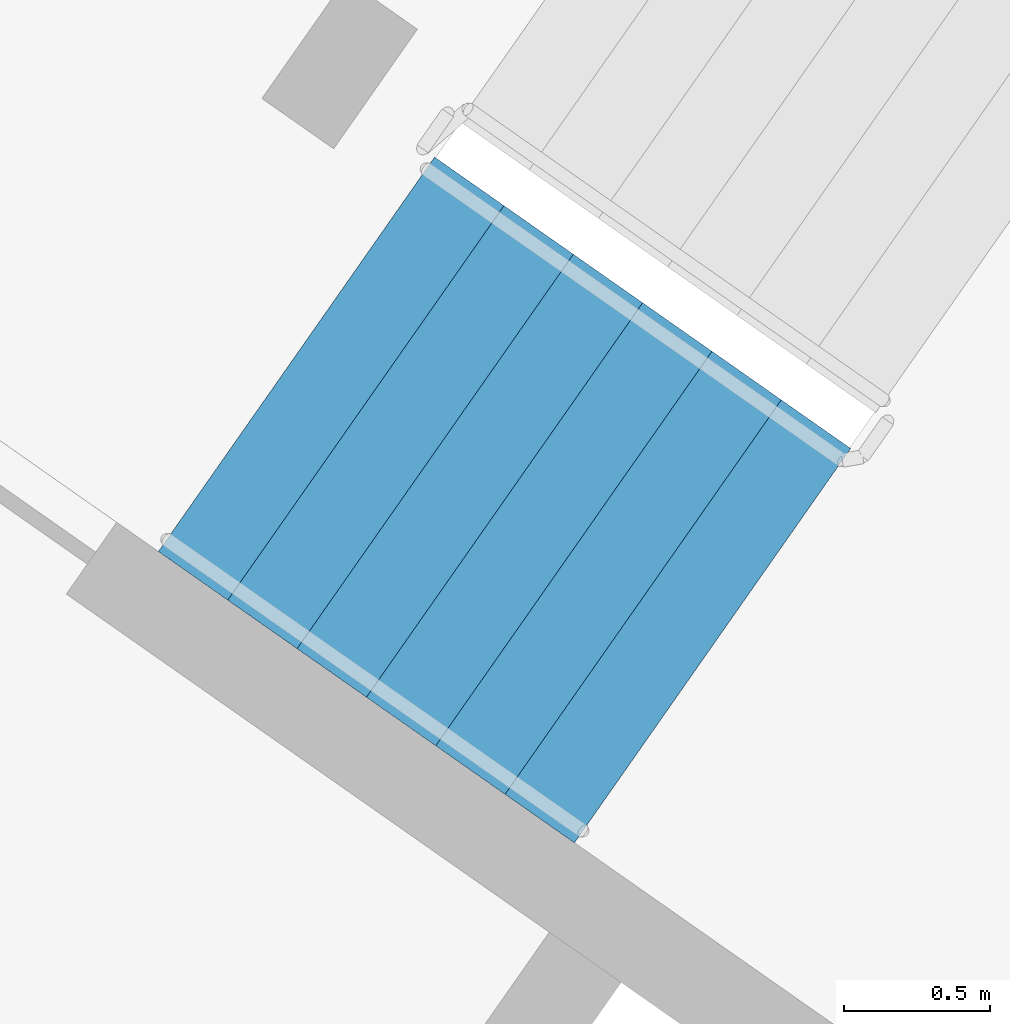
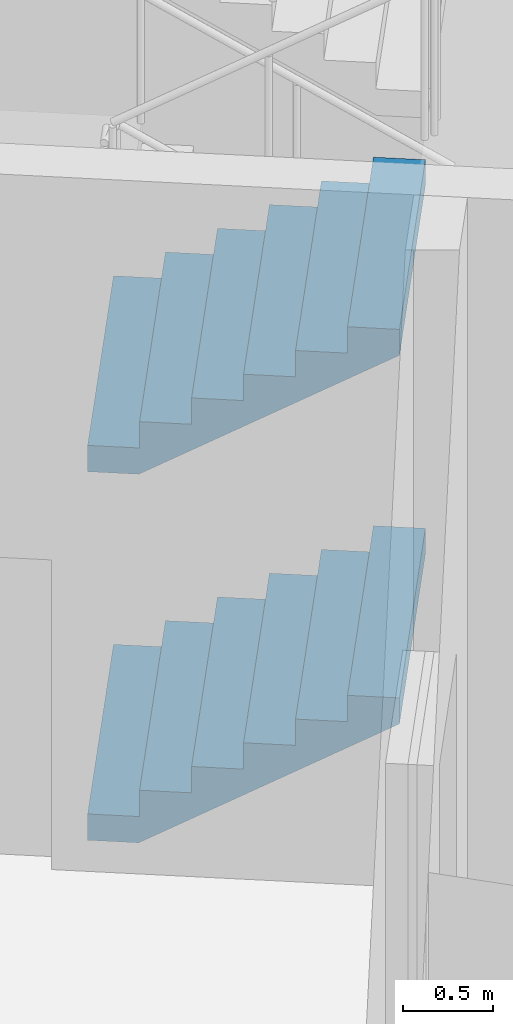
# One storey, part 17 of 25: 2 stair flights, 1 element without a shape of its own.
"""IFC4 building model written with IfcOpenShell, lengths in metres."""

from ifc_helpers import new_model, si_unit, direction, frame, origin, place, context, subcontext, project, spatial, faceted_brep, material, type_object, element, aggregate, save


model = new_model("IFC4")

# Units and contexts
model_context = context("Model", 3, precision=1e-05, world=origin(), true_north=direction((0.0, 1.0)))
body_context = subcontext(model_context, "Body", "Model", "MODEL_VIEW")
ifc_project = project(units=[si_unit("LENGTHUNIT", "METRE"), si_unit("AREAUNIT", "SQUARE_METRE"), si_unit("VOLUMEUNIT", "CUBIC_METRE"), si_unit("PLANEANGLEUNIT", "RADIAN"), si_unit("MASSUNIT", "GRAM", prefix="KILO")], contexts=[model_context])

# Site, building, storey
site_placement = place(None, origin())
site = spatial("IfcSite", under=ifc_project, at=site_placement, CompositionType="ELEMENT")
building_placement = place(site_placement, origin())
building = spatial("IfcBuilding", under=site, at=building_placement, Name="Qamariyya Broadcast Tower", CompositionType="ELEMENT")
storey_placement = place(building_placement, frame((0.0, 0.0, 144.300048828125)))
storey = spatial("IfcBuildingStorey", under=building, at=storey_placement, Name="L33", CompositionType="ELEMENT", Elevation=144.300048828125)

# Stair, stair flights
ifc_material = material(Name="Concrete C50/60", Category="concrete")
stair_type = type_object("IfcStairType", Name="Exit stair 28 risers of 179 mm", PredefinedType="HALF_TURN_STAIR", material=ifc_material)
stair_placement = place(storey_placement, origin())
stair = element("IfcStair", 1, at=stair_placement, inside=storey, type_object=stair_type, Name="L33 Stair W2", PredefinedType="HALF_TURN_STAIR")
stair_flight_type = type_object("IfcStairFlightType", Name="Exit stair flight 7 risers of 179 mm", PredefinedType="STRAIGHT", material=ifc_material)
stair_flight_1_placement = place(storey_placement, frame((-41.59130859375, -49.15966796875, 0.0), z_axis=(0.0, 0.0, 1.0), x_axis=(0.819152044289, -0.573576436351, 0.0)))
stair_flight_1 = element("IfcStairFlight", 2, at=stair_flight_1_placement, type_object=stair_flight_type, Name="ST-W2 flight 1", NumberOfRisers=7, NumberOfTreads=6, PredefinedType="STRAIGHT", RiserHeight=0.178571429, TreadLength=0.29, context=body_context, shape_type="Brep", body=[
    faceted_brep([(0.0, 0.824951171875, 0.0), (0.0, 0.824951171875, 0.178466796875), (0.2900390625, 0.824951171875, 0.178466796875), (0.2900390625, 0.824951171875, 0.357177734375), (0.580078125, 0.824951171875, 0.357177734375), (0.580078125, 0.824951171875, 0.53564453125), (0.8701171875, 0.824951171875, 0.53564453125), (0.8701171875, 0.824951171875, 0.71435546875), (1.159912109375, 0.824951171875, 0.71435546875), (1.159912109375, 0.824951171875, 0.892822265625), (1.449951171875, 0.824951171875, 0.892822265625), (1.449951171875, 0.824951171875, 1.071533203125), (1.739990234375, 0.824951171875, 1.071533203125), (1.739990234375, 0.824951171875, 0.8955078125), (0.285888671875, 0.824951171875, 0.0), (0.285888671875, -0.824951171875, 0.0), (1.739990234375, -0.824951171875, 0.8955078125), (1.739990234375, -0.824951171875, 1.071533203125), (1.449951171875, -0.824951171875, 1.071533203125), (1.449951171875, -0.824951171875, 0.892822265625), (1.159912109375, -0.824951171875, 0.892822265625), (1.159912109375, -0.824951171875, 0.71435546875), (0.8701171875, -0.824951171875, 0.71435546875), (0.8701171875, -0.824951171875, 0.53564453125), (0.580078125, -0.824951171875, 0.53564453125), (0.580078125, -0.824951171875, 0.357177734375), (0.2900390625, -0.824951171875, 0.357177734375), (0.2900390625, -0.824951171875, 0.178466796875), (0.0, -0.824951171875, 0.178466796875), (0.0, -0.824951171875, 0.0), (0.0, 0.10009765625, 0.0), (0.0, 0.086669921875, 0.0), (0.0, 0.0732421875, 0.0), (0.0, 0.06005859375, 0.0), (0.0, 0.046630859375, 0.0), (0.0, 0.033447265625, 0.0), (0.0, 0.02001953125, 0.0), (0.0, 0.006591796875, 0.0), (0.0, -0.006591796875, 0.0), (0.0, -0.02001953125, 0.0), (0.0, -0.033447265625, 0.0), (0.0, -0.046630859375, 0.0), (0.0, -0.06005859375, 0.0), (0.0, -0.0732421875, 0.0), (0.0, -0.086669921875, 0.0), (0.0, -0.10009765625, 0.0), (0.0, -0.10009765625, 0.178466796875), (0.0, -0.086669921875, 0.178466796875), (0.0, -0.0732421875, 0.178466796875), (0.0, -0.06005859375, 0.178466796875), (0.0, -0.046630859375, 0.178466796875), (0.0, -0.033447265625, 0.178466796875), (0.0, -0.02001953125, 0.178466796875), (0.0, -0.006591796875, 0.178466796875), (0.0, 0.006591796875, 0.178466796875), (0.0, 0.02001953125, 0.178466796875), (0.0, 0.033447265625, 0.178466796875), (0.0, 0.046630859375, 0.178466796875), (0.0, 0.06005859375, 0.178466796875), (0.0, 0.0732421875, 0.178466796875), (0.0, 0.086669921875, 0.178466796875), (0.0, 0.10009765625, 0.178466796875), (0.2900390625, -0.10009765625, 0.178466796875), (0.2900390625, -0.086669921875, 0.178466796875), (0.2900390625, -0.0732421875, 0.178466796875), (0.2900390625, -0.06005859375, 0.178466796875), (0.2900390625, -0.046630859375, 0.178466796875), (0.2900390625, -0.033447265625, 0.178466796875), (0.2900390625, -0.02001953125, 0.178466796875), (0.2900390625, -0.006591796875, 0.178466796875), (0.2900390625, 0.006591796875, 0.178466796875), (0.2900390625, 0.02001953125, 0.178466796875), (0.2900390625, 0.033447265625, 0.178466796875), (0.2900390625, 0.046630859375, 0.178466796875), (0.2900390625, 0.06005859375, 0.178466796875), (0.2900390625, 0.0732421875, 0.178466796875), (0.2900390625, 0.086669921875, 0.178466796875), (0.2900390625, 0.10009765625, 0.178466796875), (0.2900390625, -0.10009765625, 0.357177734375), (0.2900390625, -0.086669921875, 0.357177734375), (0.2900390625, -0.0732421875, 0.357177734375), (0.2900390625, -0.06005859375, 0.357177734375), (0.2900390625, -0.046630859375, 0.357177734375), (0.2900390625, -0.033447265625, 0.357177734375), (0.2900390625, -0.02001953125, 0.357177734375), (0.2900390625, -0.006591796875, 0.357177734375), (0.2900390625, 0.006591796875, 0.357177734375), (0.2900390625, 0.02001953125, 0.357177734375), (0.2900390625, 0.033447265625, 0.357177734375), (0.2900390625, 0.046630859375, 0.357177734375), (0.2900390625, 0.06005859375, 0.357177734375), (0.2900390625, 0.0732421875, 0.357177734375), (0.2900390625, 0.086669921875, 0.357177734375), (0.2900390625, 0.10009765625, 0.357177734375), (0.580078125, -0.10009765625, 0.357177734375), (0.580078125, -0.086669921875, 0.357177734375), (0.580078125, -0.0732421875, 0.357177734375), (0.580078125, -0.06005859375, 0.357177734375), (0.580078125, -0.046630859375, 0.357177734375), (0.580078125, -0.033447265625, 0.357177734375), (0.580078125, -0.02001953125, 0.357177734375), (0.580078125, -0.006591796875, 0.357177734375), (0.580078125, 0.006591796875, 0.357177734375), (0.580078125, 0.02001953125, 0.357177734375), (0.580078125, 0.033447265625, 0.357177734375), (0.580078125, 0.046630859375, 0.357177734375), (0.580078125, 0.06005859375, 0.357177734375), (0.580078125, 0.0732421875, 0.357177734375), (0.580078125, 0.086669921875, 0.357177734375), (0.580078125, 0.10009765625, 0.357177734375), (0.580078125, -0.10009765625, 0.53564453125), (0.580078125, -0.086669921875, 0.53564453125), (0.580078125, -0.0732421875, 0.53564453125), (0.580078125, -0.06005859375, 0.53564453125), (0.580078125, -0.046630859375, 0.53564453125), (0.580078125, -0.033447265625, 0.53564453125), (0.580078125, -0.02001953125, 0.53564453125), (0.580078125, -0.006591796875, 0.53564453125), (0.580078125, 0.006591796875, 0.53564453125), (0.580078125, 0.02001953125, 0.53564453125), (0.580078125, 0.033447265625, 0.53564453125), (0.580078125, 0.046630859375, 0.53564453125), (0.580078125, 0.06005859375, 0.53564453125), (0.580078125, 0.0732421875, 0.53564453125), (0.580078125, 0.086669921875, 0.53564453125), (0.580078125, 0.10009765625, 0.53564453125), (0.8701171875, -0.10009765625, 0.53564453125), (0.8701171875, -0.086669921875, 0.53564453125), (0.8701171875, -0.0732421875, 0.53564453125), (0.8701171875, -0.06005859375, 0.53564453125), (0.8701171875, -0.046630859375, 0.53564453125), (0.8701171875, -0.033447265625, 0.53564453125), (0.8701171875, -0.02001953125, 0.53564453125), (0.8701171875, -0.006591796875, 0.53564453125), (0.8701171875, 0.006591796875, 0.53564453125), (0.8701171875, 0.02001953125, 0.53564453125), (0.8701171875, 0.033447265625, 0.53564453125), (0.8701171875, 0.046630859375, 0.53564453125), (0.8701171875, 0.06005859375, 0.53564453125), (0.8701171875, 0.0732421875, 0.53564453125), (0.8701171875, 0.086669921875, 0.53564453125), (0.8701171875, 0.10009765625, 0.53564453125), (0.8701171875, -0.10009765625, 0.71435546875), (0.8701171875, -0.086669921875, 0.71435546875), (0.8701171875, -0.0732421875, 0.71435546875), (0.8701171875, -0.06005859375, 0.71435546875), (0.8701171875, -0.046630859375, 0.71435546875), (0.8701171875, -0.033447265625, 0.71435546875), (0.8701171875, -0.02001953125, 0.71435546875), (0.8701171875, -0.006591796875, 0.71435546875), (0.8701171875, 0.006591796875, 0.71435546875), (0.8701171875, 0.02001953125, 0.71435546875), (0.8701171875, 0.033447265625, 0.71435546875), (0.8701171875, 0.046630859375, 0.71435546875), (0.8701171875, 0.06005859375, 0.71435546875), (0.8701171875, 0.0732421875, 0.71435546875), (0.8701171875, 0.086669921875, 0.71435546875), (0.8701171875, 0.10009765625, 0.71435546875), (1.159912109375, -0.10009765625, 0.71435546875), (1.159912109375, -0.086669921875, 0.71435546875), (1.159912109375, -0.0732421875, 0.71435546875), (1.159912109375, -0.06005859375, 0.71435546875), (1.159912109375, -0.046630859375, 0.71435546875), (1.159912109375, -0.033447265625, 0.71435546875), (1.159912109375, -0.02001953125, 0.71435546875), (1.159912109375, -0.006591796875, 0.71435546875), (1.159912109375, 0.006591796875, 0.71435546875), (1.159912109375, 0.02001953125, 0.71435546875), (1.159912109375, 0.033447265625, 0.71435546875), (1.159912109375, 0.046630859375, 0.71435546875), (1.159912109375, 0.06005859375, 0.71435546875), (1.159912109375, 0.0732421875, 0.71435546875), (1.159912109375, 0.086669921875, 0.71435546875), (1.159912109375, 0.10009765625, 0.71435546875), (1.159912109375, -0.10009765625, 0.892822265625), (1.159912109375, -0.086669921875, 0.892822265625), (1.159912109375, -0.0732421875, 0.892822265625), (1.159912109375, -0.06005859375, 0.892822265625), (1.159912109375, -0.046630859375, 0.892822265625), (1.159912109375, -0.033447265625, 0.892822265625), (1.159912109375, -0.02001953125, 0.892822265625), (1.159912109375, -0.006591796875, 0.892822265625), (1.159912109375, 0.006591796875, 0.892822265625), (1.159912109375, 0.02001953125, 0.892822265625), (1.159912109375, 0.033447265625, 0.892822265625), (1.159912109375, 0.046630859375, 0.892822265625), (1.159912109375, 0.06005859375, 0.892822265625), (1.159912109375, 0.0732421875, 0.892822265625), (1.159912109375, 0.086669921875, 0.892822265625), (1.159912109375, 0.10009765625, 0.892822265625), (1.449951171875, -0.10009765625, 0.892822265625), (1.449951171875, -0.086669921875, 0.892822265625), (1.449951171875, -0.0732421875, 0.892822265625), (1.449951171875, -0.06005859375, 0.892822265625), (1.449951171875, -0.046630859375, 0.892822265625), (1.449951171875, -0.033447265625, 0.892822265625), (1.449951171875, -0.02001953125, 0.892822265625), (1.449951171875, -0.006591796875, 0.892822265625), (1.449951171875, 0.006591796875, 0.892822265625), (1.449951171875, 0.02001953125, 0.892822265625), (1.449951171875, 0.033447265625, 0.892822265625), (1.449951171875, 0.046630859375, 0.892822265625), (1.449951171875, 0.06005859375, 0.892822265625), (1.449951171875, 0.0732421875, 0.892822265625), (1.449951171875, 0.086669921875, 0.892822265625), (1.449951171875, 0.10009765625, 0.892822265625), (1.449951171875, -0.10009765625, 1.071533203125), (1.449951171875, -0.086669921875, 1.071533203125), (1.449951171875, -0.0732421875, 1.071533203125), (1.449951171875, -0.06005859375, 1.071533203125), (1.449951171875, -0.046630859375, 1.071533203125), (1.449951171875, -0.033447265625, 1.071533203125), (1.449951171875, -0.02001953125, 1.071533203125), (1.449951171875, -0.006591796875, 1.071533203125), (1.449951171875, 0.006591796875, 1.071533203125), (1.449951171875, 0.02001953125, 1.071533203125), (1.449951171875, 0.033447265625, 1.071533203125), (1.449951171875, 0.046630859375, 1.071533203125), (1.449951171875, 0.06005859375, 1.071533203125), (1.449951171875, 0.0732421875, 1.071533203125), (1.449951171875, 0.086669921875, 1.071533203125), (1.449951171875, 0.10009765625, 1.071533203125), (1.739990234375, -0.10009765625, 1.071533203125), (1.739990234375, -0.086669921875, 1.071533203125), (1.739990234375, -0.0732421875, 1.071533203125), (1.739990234375, -0.06005859375, 1.071533203125), (1.739990234375, -0.046630859375, 1.071533203125), (1.739990234375, -0.033447265625, 1.071533203125), (1.739990234375, -0.02001953125, 1.071533203125), (1.739990234375, -0.006591796875, 1.071533203125), (1.739990234375, 0.006591796875, 1.071533203125), (1.739990234375, 0.02001953125, 1.071533203125), (1.739990234375, 0.033447265625, 1.071533203125), (1.739990234375, 0.046630859375, 1.071533203125), (1.739990234375, 0.06005859375, 1.071533203125), (1.739990234375, 0.0732421875, 1.071533203125), (1.739990234375, 0.086669921875, 1.071533203125), (1.739990234375, 0.10009765625, 1.071533203125), (1.739990234375, -0.10009765625, 0.8955078125), (1.739990234375, -0.086669921875, 0.8955078125), (1.739990234375, -0.0732421875, 0.8955078125), (1.739990234375, -0.06005859375, 0.8955078125), (1.739990234375, -0.046630859375, 0.8955078125), (1.739990234375, -0.033447265625, 0.8955078125), (1.739990234375, -0.02001953125, 0.8955078125), (1.739990234375, -0.006591796875, 0.8955078125), (1.739990234375, 0.006591796875, 0.8955078125), (1.739990234375, 0.02001953125, 0.8955078125), (1.739990234375, 0.033447265625, 0.8955078125), (1.739990234375, 0.046630859375, 0.8955078125), (1.739990234375, 0.06005859375, 0.8955078125), (1.739990234375, 0.0732421875, 0.8955078125), (1.739990234375, 0.086669921875, 0.8955078125), (1.739990234375, 0.10009765625, 0.8955078125), (0.285888671875, -0.10009765625, 0.0), (0.285888671875, -0.086669921875, 0.0), (0.285888671875, -0.0732421875, 0.0), (0.285888671875, -0.06005859375, 0.0), (0.285888671875, -0.046630859375, 0.0), (0.285888671875, -0.033447265625, 0.0), (0.285888671875, -0.02001953125, 0.0), (0.285888671875, -0.006591796875, 0.0), (0.285888671875, 0.006591796875, 0.0), (0.285888671875, 0.02001953125, 0.0), (0.285888671875, 0.033447265625, 0.0), (0.285888671875, 0.046630859375, 0.0), (0.285888671875, 0.06005859375, 0.0), (0.285888671875, 0.0732421875, 0.0), (0.285888671875, 0.086669921875, 0.0), (0.285888671875, 0.10009765625, 0.0)], [[[0, 1, 2, 3, 4, 5, 6, 7, 8, 9, 10, 11, 12, 13, 14]], [[15, 16, 17, 18, 19, 20, 21, 22, 23, 24, 25, 26, 27, 28, 29]], [[0, 30, 31, 32, 33, 34, 35, 36, 37, 38, 39, 40, 41, 42, 43, 44, 45, 29, 28, 46, 47, 48, 49, 50, 51, 52, 53, 54, 55, 56, 57, 58, 59, 60, 61, 1]], [[1, 61, 60, 59, 58, 57, 56, 55, 54, 53, 52, 51, 50, 49, 48, 47, 46, 28, 27, 62, 63, 64, 65, 66, 67, 68, 69, 70, 71, 72, 73, 74, 75, 76, 77, 2]], [[2, 77, 76, 75, 74, 73, 72, 71, 70, 69, 68, 67, 66, 65, 64, 63, 62, 27, 26, 78, 79, 80, 81, 82, 83, 84, 85, 86, 87, 88, 89, 90, 91, 92, 93, 3]], [[3, 93, 92, 91, 90, 89, 88, 87, 86, 85, 84, 83, 82, 81, 80, 79, 78, 26, 25, 94, 95, 96, 97, 98, 99, 100, 101, 102, 103, 104, 105, 106, 107, 108, 109, 4]], [[4, 109, 108, 107, 106, 105, 104, 103, 102, 101, 100, 99, 98, 97, 96, 95, 94, 25, 24, 110, 111, 112, 113, 114, 115, 116, 117, 118, 119, 120, 121, 122, 123, 124, 125, 5]], [[5, 125, 124, 123, 122, 121, 120, 119, 118, 117, 116, 115, 114, 113, 112, 111, 110, 24, 23, 126, 127, 128, 129, 130, 131, 132, 133, 134, 135, 136, 137, 138, 139, 140, 141, 6]], [[6, 141, 140, 139, 138, 137, 136, 135, 134, 133, 132, 131, 130, 129, 128, 127, 126, 23, 22, 142, 143, 144, 145, 146, 147, 148, 149, 150, 151, 152, 153, 154, 155, 156, 157, 7]], [[7, 157, 156, 155, 154, 153, 152, 151, 150, 149, 148, 147, 146, 145, 144, 143, 142, 22, 21, 158, 159, 160, 161, 162, 163, 164, 165, 166, 167, 168, 169, 170, 171, 172, 173, 8]], [[8, 173, 172, 171, 170, 169, 168, 167, 166, 165, 164, 163, 162, 161, 160, 159, 158, 21, 20, 174, 175, 176, 177, 178, 179, 180, 181, 182, 183, 184, 185, 186, 187, 188, 189, 9]], [[9, 189, 188, 187, 186, 185, 184, 183, 182, 181, 180, 179, 178, 177, 176, 175, 174, 20, 19, 190, 191, 192, 193, 194, 195, 196, 197, 198, 199, 200, 201, 202, 203, 204, 205, 10]], [[10, 205, 204, 203, 202, 201, 200, 199, 198, 197, 196, 195, 194, 193, 192, 191, 190, 19, 18, 206, 207, 208, 209, 210, 211, 212, 213, 214, 215, 216, 217, 218, 219, 220, 221, 11]], [[11, 221, 220, 219, 218, 217, 216, 215, 214, 213, 212, 211, 210, 209, 208, 207, 206, 18, 17, 222, 223, 224, 225, 226, 227, 228, 229, 230, 231, 232, 233, 234, 235, 236, 237, 12]], [[12, 237, 236, 235, 234, 233, 232, 231, 230, 229, 228, 227, 226, 225, 224, 223, 222, 17, 16, 238, 239, 240, 241, 242, 243, 244, 245, 246, 247, 248, 249, 250, 251, 252, 253, 13]], [[13, 253, 252, 251, 250, 249, 248, 247, 246, 245, 244, 243, 242, 241, 240, 239, 238, 16, 15, 254, 255, 256, 257, 258, 259, 260, 261, 262, 263, 264, 265, 266, 267, 268, 269, 14]], [[14, 269, 268, 267, 266, 265, 264, 263, 262, 261, 260, 259, 258, 257, 256, 255, 254, 15, 29, 45, 44, 43, 42, 41, 40, 39, 38, 37, 36, 35, 34, 33, 32, 31, 30, 0]]]),
])
stair_flight_2_placement = place(storey_placement, frame((-41.59130859375, -49.15966796875, 2.5), z_axis=(0.0, 0.0, 1.0), x_axis=(0.819152044289, -0.573576436351, 0.0)))
stair_flight_2 = element("IfcStairFlight", 3, at=stair_flight_2_placement, type_object=stair_flight_type, Name="ST-W2 flight 3", NumberOfRisers=7, NumberOfTreads=6, PredefinedType="STRAIGHT", RiserHeight=0.178571429, TreadLength=0.29, context=body_context, shape_type="Brep", body=[
    faceted_brep([(0.0, 0.824951171875, 0.0), (0.0, 0.824951171875, 0.178466796875), (0.2900390625, 0.824951171875, 0.178466796875), (0.2900390625, 0.824951171875, 0.357177734375), (0.580078125, 0.824951171875, 0.357177734375), (0.580078125, 0.824951171875, 0.53564453125), (0.8701171875, 0.824951171875, 0.53564453125), (0.8701171875, 0.824951171875, 0.71435546875), (1.159912109375, 0.824951171875, 0.71435546875), (1.159912109375, 0.824951171875, 0.892822265625), (1.449951171875, 0.824951171875, 0.892822265625), (1.449951171875, 0.824951171875, 1.071533203125), (1.739990234375, 0.824951171875, 1.071533203125), (1.739990234375, 0.824951171875, 0.8955078125), (0.285888671875, 0.824951171875, 0.0), (0.285888671875, -0.824951171875, 0.0), (1.739990234375, -0.824951171875, 0.8955078125), (1.739990234375, -0.824951171875, 1.071533203125), (1.449951171875, -0.824951171875, 1.071533203125), (1.449951171875, -0.824951171875, 0.892822265625), (1.159912109375, -0.824951171875, 0.892822265625), (1.159912109375, -0.824951171875, 0.71435546875), (0.8701171875, -0.824951171875, 0.71435546875), (0.8701171875, -0.824951171875, 0.53564453125), (0.580078125, -0.824951171875, 0.53564453125), (0.580078125, -0.824951171875, 0.357177734375), (0.2900390625, -0.824951171875, 0.357177734375), (0.2900390625, -0.824951171875, 0.178466796875), (0.0, -0.824951171875, 0.178466796875), (0.0, -0.824951171875, 0.0), (0.0, 0.10009765625, 0.0), (0.0, 0.086669921875, 0.0), (0.0, 0.0732421875, 0.0), (0.0, 0.06005859375, 0.0), (0.0, 0.046630859375, 0.0), (0.0, 0.033447265625, 0.0), (0.0, 0.02001953125, 0.0), (0.0, 0.006591796875, 0.0), (0.0, -0.006591796875, 0.0), (0.0, -0.02001953125, 0.0), (0.0, -0.033447265625, 0.0), (0.0, -0.046630859375, 0.0), (0.0, -0.06005859375, 0.0), (0.0, -0.0732421875, 0.0), (0.0, -0.086669921875, 0.0), (0.0, -0.10009765625, 0.0), (0.0, -0.10009765625, 0.178466796875), (0.0, -0.086669921875, 0.178466796875), (0.0, -0.0732421875, 0.178466796875), (0.0, -0.06005859375, 0.178466796875), (0.0, -0.046630859375, 0.178466796875), (0.0, -0.033447265625, 0.178466796875), (0.0, -0.02001953125, 0.178466796875), (0.0, -0.006591796875, 0.178466796875), (0.0, 0.006591796875, 0.178466796875), (0.0, 0.02001953125, 0.178466796875), (0.0, 0.033447265625, 0.178466796875), (0.0, 0.046630859375, 0.178466796875), (0.0, 0.06005859375, 0.178466796875), (0.0, 0.0732421875, 0.178466796875), (0.0, 0.086669921875, 0.178466796875), (0.0, 0.10009765625, 0.178466796875), (0.2900390625, -0.10009765625, 0.178466796875), (0.2900390625, -0.086669921875, 0.178466796875), (0.2900390625, -0.0732421875, 0.178466796875), (0.2900390625, -0.06005859375, 0.178466796875), (0.2900390625, -0.046630859375, 0.178466796875), (0.2900390625, -0.033447265625, 0.178466796875), (0.2900390625, -0.02001953125, 0.178466796875), (0.2900390625, -0.006591796875, 0.178466796875), (0.2900390625, 0.006591796875, 0.178466796875), (0.2900390625, 0.02001953125, 0.178466796875), (0.2900390625, 0.033447265625, 0.178466796875), (0.2900390625, 0.046630859375, 0.178466796875), (0.2900390625, 0.06005859375, 0.178466796875), (0.2900390625, 0.0732421875, 0.178466796875), (0.2900390625, 0.086669921875, 0.178466796875), (0.2900390625, 0.10009765625, 0.178466796875), (0.2900390625, -0.10009765625, 0.357177734375), (0.2900390625, -0.086669921875, 0.357177734375), (0.2900390625, -0.0732421875, 0.357177734375), (0.2900390625, -0.06005859375, 0.357177734375), (0.2900390625, -0.046630859375, 0.357177734375), (0.2900390625, -0.033447265625, 0.357177734375), (0.2900390625, -0.02001953125, 0.357177734375), (0.2900390625, -0.006591796875, 0.357177734375), (0.2900390625, 0.006591796875, 0.357177734375), (0.2900390625, 0.02001953125, 0.357177734375), (0.2900390625, 0.033447265625, 0.357177734375), (0.2900390625, 0.046630859375, 0.357177734375), (0.2900390625, 0.06005859375, 0.357177734375), (0.2900390625, 0.0732421875, 0.357177734375), (0.2900390625, 0.086669921875, 0.357177734375), (0.2900390625, 0.10009765625, 0.357177734375), (0.580078125, -0.10009765625, 0.357177734375), (0.580078125, -0.086669921875, 0.357177734375), (0.580078125, -0.0732421875, 0.357177734375), (0.580078125, -0.06005859375, 0.357177734375), (0.580078125, -0.046630859375, 0.357177734375), (0.580078125, -0.033447265625, 0.357177734375), (0.580078125, -0.02001953125, 0.357177734375), (0.580078125, -0.006591796875, 0.357177734375), (0.580078125, 0.006591796875, 0.357177734375), (0.580078125, 0.02001953125, 0.357177734375), (0.580078125, 0.033447265625, 0.357177734375), (0.580078125, 0.046630859375, 0.357177734375), (0.580078125, 0.06005859375, 0.357177734375), (0.580078125, 0.0732421875, 0.357177734375), (0.580078125, 0.086669921875, 0.357177734375), (0.580078125, 0.10009765625, 0.357177734375), (0.580078125, -0.10009765625, 0.53564453125), (0.580078125, -0.086669921875, 0.53564453125), (0.580078125, -0.0732421875, 0.53564453125), (0.580078125, -0.06005859375, 0.53564453125), (0.580078125, -0.046630859375, 0.53564453125), (0.580078125, -0.033447265625, 0.53564453125), (0.580078125, -0.02001953125, 0.53564453125), (0.580078125, -0.006591796875, 0.53564453125), (0.580078125, 0.006591796875, 0.53564453125), (0.580078125, 0.02001953125, 0.53564453125), (0.580078125, 0.033447265625, 0.53564453125), (0.580078125, 0.046630859375, 0.53564453125), (0.580078125, 0.06005859375, 0.53564453125), (0.580078125, 0.0732421875, 0.53564453125), (0.580078125, 0.086669921875, 0.53564453125), (0.580078125, 0.10009765625, 0.53564453125), (0.8701171875, -0.10009765625, 0.53564453125), (0.8701171875, -0.086669921875, 0.53564453125), (0.8701171875, -0.0732421875, 0.53564453125), (0.8701171875, -0.06005859375, 0.53564453125), (0.8701171875, -0.046630859375, 0.53564453125), (0.8701171875, -0.033447265625, 0.53564453125), (0.8701171875, -0.02001953125, 0.53564453125), (0.8701171875, -0.006591796875, 0.53564453125), (0.8701171875, 0.006591796875, 0.53564453125), (0.8701171875, 0.02001953125, 0.53564453125), (0.8701171875, 0.033447265625, 0.53564453125), (0.8701171875, 0.046630859375, 0.53564453125), (0.8701171875, 0.06005859375, 0.53564453125), (0.8701171875, 0.0732421875, 0.53564453125), (0.8701171875, 0.086669921875, 0.53564453125), (0.8701171875, 0.10009765625, 0.53564453125), (0.8701171875, -0.10009765625, 0.71435546875), (0.8701171875, -0.086669921875, 0.71435546875), (0.8701171875, -0.0732421875, 0.71435546875), (0.8701171875, -0.06005859375, 0.71435546875), (0.8701171875, -0.046630859375, 0.71435546875), (0.8701171875, -0.033447265625, 0.71435546875), (0.8701171875, -0.02001953125, 0.71435546875), (0.8701171875, -0.006591796875, 0.71435546875), (0.8701171875, 0.006591796875, 0.71435546875), (0.8701171875, 0.02001953125, 0.71435546875), (0.8701171875, 0.033447265625, 0.71435546875), (0.8701171875, 0.046630859375, 0.71435546875), (0.8701171875, 0.06005859375, 0.71435546875), (0.8701171875, 0.0732421875, 0.71435546875), (0.8701171875, 0.086669921875, 0.71435546875), (0.8701171875, 0.10009765625, 0.71435546875), (1.159912109375, -0.10009765625, 0.71435546875), (1.159912109375, -0.086669921875, 0.71435546875), (1.159912109375, -0.0732421875, 0.71435546875), (1.159912109375, -0.06005859375, 0.71435546875), (1.159912109375, -0.046630859375, 0.71435546875), (1.159912109375, -0.033447265625, 0.71435546875), (1.159912109375, -0.02001953125, 0.71435546875), (1.159912109375, -0.006591796875, 0.71435546875), (1.159912109375, 0.006591796875, 0.71435546875), (1.159912109375, 0.02001953125, 0.71435546875), (1.159912109375, 0.033447265625, 0.71435546875), (1.159912109375, 0.046630859375, 0.71435546875), (1.159912109375, 0.06005859375, 0.71435546875), (1.159912109375, 0.0732421875, 0.71435546875), (1.159912109375, 0.086669921875, 0.71435546875), (1.159912109375, 0.10009765625, 0.71435546875), (1.159912109375, -0.10009765625, 0.892822265625), (1.159912109375, -0.086669921875, 0.892822265625), (1.159912109375, -0.0732421875, 0.892822265625), (1.159912109375, -0.06005859375, 0.892822265625), (1.159912109375, -0.046630859375, 0.892822265625), (1.159912109375, -0.033447265625, 0.892822265625), (1.159912109375, -0.02001953125, 0.892822265625), (1.159912109375, -0.006591796875, 0.892822265625), (1.159912109375, 0.006591796875, 0.892822265625), (1.159912109375, 0.02001953125, 0.892822265625), (1.159912109375, 0.033447265625, 0.892822265625), (1.159912109375, 0.046630859375, 0.892822265625), (1.159912109375, 0.06005859375, 0.892822265625), (1.159912109375, 0.0732421875, 0.892822265625), (1.159912109375, 0.086669921875, 0.892822265625), (1.159912109375, 0.10009765625, 0.892822265625), (1.449951171875, -0.10009765625, 0.892822265625), (1.449951171875, -0.086669921875, 0.892822265625), (1.449951171875, -0.0732421875, 0.892822265625), (1.449951171875, -0.06005859375, 0.892822265625), (1.449951171875, -0.046630859375, 0.892822265625), (1.449951171875, -0.033447265625, 0.892822265625), (1.449951171875, -0.02001953125, 0.892822265625), (1.449951171875, -0.006591796875, 0.892822265625), (1.449951171875, 0.006591796875, 0.892822265625), (1.449951171875, 0.02001953125, 0.892822265625), (1.449951171875, 0.033447265625, 0.892822265625), (1.449951171875, 0.046630859375, 0.892822265625), (1.449951171875, 0.06005859375, 0.892822265625), (1.449951171875, 0.0732421875, 0.892822265625), (1.449951171875, 0.086669921875, 0.892822265625), (1.449951171875, 0.10009765625, 0.892822265625), (1.449951171875, -0.10009765625, 1.071533203125), (1.449951171875, -0.086669921875, 1.071533203125), (1.449951171875, -0.0732421875, 1.071533203125), (1.449951171875, -0.06005859375, 1.071533203125), (1.449951171875, -0.046630859375, 1.071533203125), (1.449951171875, -0.033447265625, 1.071533203125), (1.449951171875, -0.02001953125, 1.071533203125), (1.449951171875, -0.006591796875, 1.071533203125), (1.449951171875, 0.006591796875, 1.071533203125), (1.449951171875, 0.02001953125, 1.071533203125), (1.449951171875, 0.033447265625, 1.071533203125), (1.449951171875, 0.046630859375, 1.071533203125), (1.449951171875, 0.06005859375, 1.071533203125), (1.449951171875, 0.0732421875, 1.071533203125), (1.449951171875, 0.086669921875, 1.071533203125), (1.449951171875, 0.10009765625, 1.071533203125), (1.739990234375, -0.10009765625, 1.071533203125), (1.739990234375, -0.086669921875, 1.071533203125), (1.739990234375, -0.0732421875, 1.071533203125), (1.739990234375, -0.06005859375, 1.071533203125), (1.739990234375, -0.046630859375, 1.071533203125), (1.739990234375, -0.033447265625, 1.071533203125), (1.739990234375, -0.02001953125, 1.071533203125), (1.739990234375, -0.006591796875, 1.071533203125), (1.739990234375, 0.006591796875, 1.071533203125), (1.739990234375, 0.02001953125, 1.071533203125), (1.739990234375, 0.033447265625, 1.071533203125), (1.739990234375, 0.046630859375, 1.071533203125), (1.739990234375, 0.06005859375, 1.071533203125), (1.739990234375, 0.0732421875, 1.071533203125), (1.739990234375, 0.086669921875, 1.071533203125), (1.739990234375, 0.10009765625, 1.071533203125), (1.739990234375, -0.10009765625, 0.8955078125), (1.739990234375, -0.086669921875, 0.8955078125), (1.739990234375, -0.0732421875, 0.8955078125), (1.739990234375, -0.06005859375, 0.8955078125), (1.739990234375, -0.046630859375, 0.8955078125), (1.739990234375, -0.033447265625, 0.8955078125), (1.739990234375, -0.02001953125, 0.8955078125), (1.739990234375, -0.006591796875, 0.8955078125), (1.739990234375, 0.006591796875, 0.8955078125), (1.739990234375, 0.02001953125, 0.8955078125), (1.739990234375, 0.033447265625, 0.8955078125), (1.739990234375, 0.046630859375, 0.8955078125), (1.739990234375, 0.06005859375, 0.8955078125), (1.739990234375, 0.0732421875, 0.8955078125), (1.739990234375, 0.086669921875, 0.8955078125), (1.739990234375, 0.10009765625, 0.8955078125), (0.285888671875, -0.10009765625, 0.0), (0.285888671875, -0.086669921875, 0.0), (0.285888671875, -0.0732421875, 0.0), (0.285888671875, -0.06005859375, 0.0), (0.285888671875, -0.046630859375, 0.0), (0.285888671875, -0.033447265625, 0.0), (0.285888671875, -0.02001953125, 0.0), (0.285888671875, -0.006591796875, 0.0), (0.285888671875, 0.006591796875, 0.0), (0.285888671875, 0.02001953125, 0.0), (0.285888671875, 0.033447265625, 0.0), (0.285888671875, 0.046630859375, 0.0), (0.285888671875, 0.06005859375, 0.0), (0.285888671875, 0.0732421875, 0.0), (0.285888671875, 0.086669921875, 0.0), (0.285888671875, 0.10009765625, 0.0)], [[[0, 1, 2, 3, 4, 5, 6, 7, 8, 9, 10, 11, 12, 13, 14]], [[15, 16, 17, 18, 19, 20, 21, 22, 23, 24, 25, 26, 27, 28, 29]], [[0, 30, 31, 32, 33, 34, 35, 36, 37, 38, 39, 40, 41, 42, 43, 44, 45, 29, 28, 46, 47, 48, 49, 50, 51, 52, 53, 54, 55, 56, 57, 58, 59, 60, 61, 1]], [[1, 61, 60, 59, 58, 57, 56, 55, 54, 53, 52, 51, 50, 49, 48, 47, 46, 28, 27, 62, 63, 64, 65, 66, 67, 68, 69, 70, 71, 72, 73, 74, 75, 76, 77, 2]], [[2, 77, 76, 75, 74, 73, 72, 71, 70, 69, 68, 67, 66, 65, 64, 63, 62, 27, 26, 78, 79, 80, 81, 82, 83, 84, 85, 86, 87, 88, 89, 90, 91, 92, 93, 3]], [[3, 93, 92, 91, 90, 89, 88, 87, 86, 85, 84, 83, 82, 81, 80, 79, 78, 26, 25, 94, 95, 96, 97, 98, 99, 100, 101, 102, 103, 104, 105, 106, 107, 108, 109, 4]], [[4, 109, 108, 107, 106, 105, 104, 103, 102, 101, 100, 99, 98, 97, 96, 95, 94, 25, 24, 110, 111, 112, 113, 114, 115, 116, 117, 118, 119, 120, 121, 122, 123, 124, 125, 5]], [[5, 125, 124, 123, 122, 121, 120, 119, 118, 117, 116, 115, 114, 113, 112, 111, 110, 24, 23, 126, 127, 128, 129, 130, 131, 132, 133, 134, 135, 136, 137, 138, 139, 140, 141, 6]], [[6, 141, 140, 139, 138, 137, 136, 135, 134, 133, 132, 131, 130, 129, 128, 127, 126, 23, 22, 142, 143, 144, 145, 146, 147, 148, 149, 150, 151, 152, 153, 154, 155, 156, 157, 7]], [[7, 157, 156, 155, 154, 153, 152, 151, 150, 149, 148, 147, 146, 145, 144, 143, 142, 22, 21, 158, 159, 160, 161, 162, 163, 164, 165, 166, 167, 168, 169, 170, 171, 172, 173, 8]], [[8, 173, 172, 171, 170, 169, 168, 167, 166, 165, 164, 163, 162, 161, 160, 159, 158, 21, 20, 174, 175, 176, 177, 178, 179, 180, 181, 182, 183, 184, 185, 186, 187, 188, 189, 9]], [[9, 189, 188, 187, 186, 185, 184, 183, 182, 181, 180, 179, 178, 177, 176, 175, 174, 20, 19, 190, 191, 192, 193, 194, 195, 196, 197, 198, 199, 200, 201, 202, 203, 204, 205, 10]], [[10, 205, 204, 203, 202, 201, 200, 199, 198, 197, 196, 195, 194, 193, 192, 191, 190, 19, 18, 206, 207, 208, 209, 210, 211, 212, 213, 214, 215, 216, 217, 218, 219, 220, 221, 11]], [[11, 221, 220, 219, 218, 217, 216, 215, 214, 213, 212, 211, 210, 209, 208, 207, 206, 18, 17, 222, 223, 224, 225, 226, 227, 228, 229, 230, 231, 232, 233, 234, 235, 236, 237, 12]], [[12, 237, 236, 235, 234, 233, 232, 231, 230, 229, 228, 227, 226, 225, 224, 223, 222, 17, 16, 238, 239, 240, 241, 242, 243, 244, 245, 246, 247, 248, 249, 250, 251, 252, 253, 13]], [[13, 253, 252, 251, 250, 249, 248, 247, 246, 245, 244, 243, 242, 241, 240, 239, 238, 16, 15, 254, 255, 256, 257, 258, 259, 260, 261, 262, 263, 264, 265, 266, 267, 268, 269, 14]], [[14, 269, 268, 267, 266, 265, 264, 263, 262, 261, 260, 259, 258, 257, 256, 255, 254, 15, 29, 45, 44, 43, 42, 41, 40, 39, 38, 37, 36, 35, 34, 33, 32, 31, 30, 0]]]),
])
aggregate(stair, [stair_flight_1, stair_flight_2])

save(model, "model.ifc")
